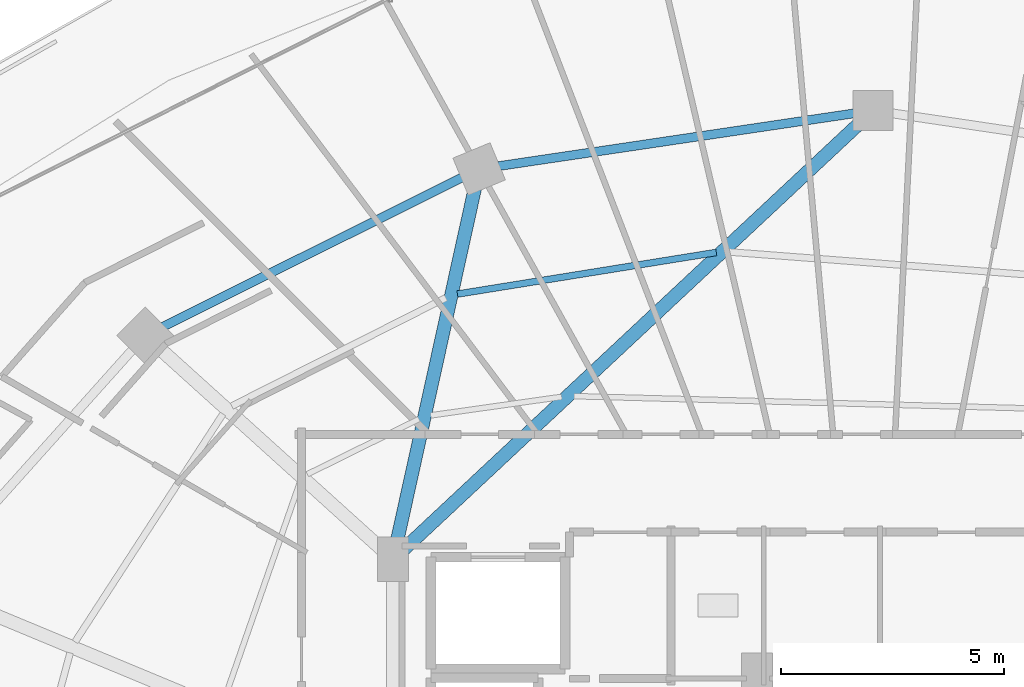
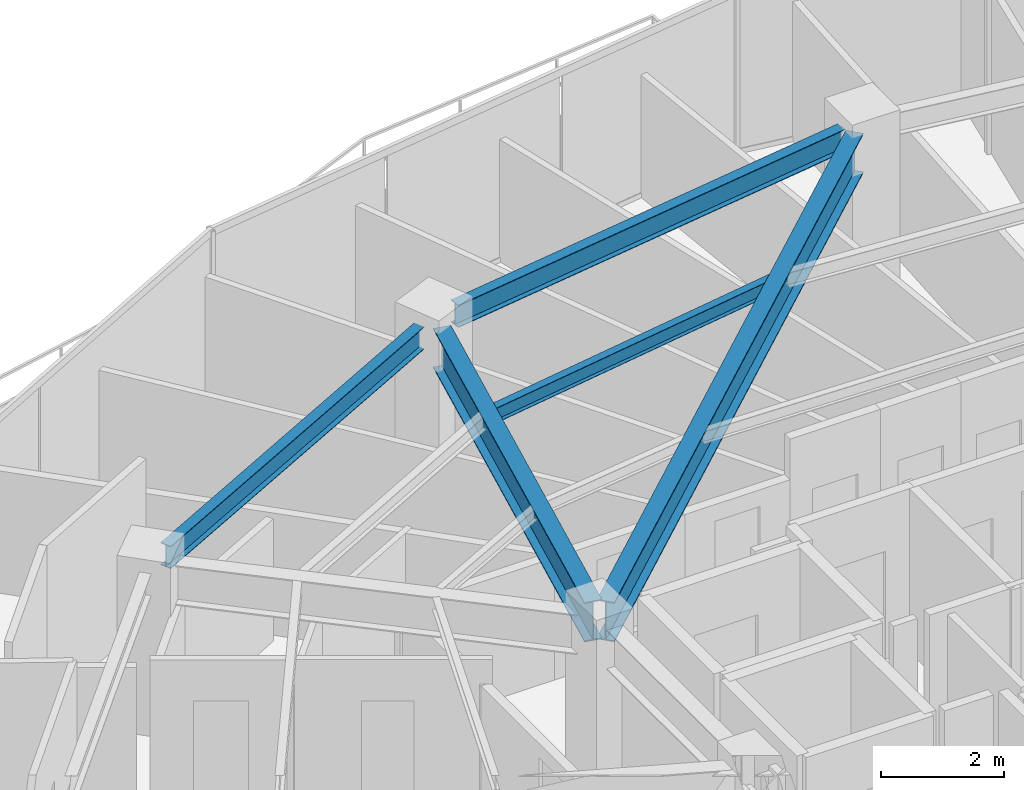
# One storey, part 19 of 33: 5 beams.
"""IFC4 building model written with IfcOpenShell, lengths in metres."""

from ifc_helpers import new_model, si_unit, direction, frame, origin, origin_2d, place, context, subcontext, project, spatial, i_section, extrude, material, material_profile, profile_set, type_object, element, save


model = new_model("IFC4")

# Units and contexts
model_context = context("Model", 3, precision=1e-05, world=origin(), true_north=direction((0.0, 1.0)))
body_context = subcontext(model_context, "Body", "Model", "MODEL_VIEW")
ifc_project = project(units=[si_unit("LENGTHUNIT", "METRE"), si_unit("AREAUNIT", "SQUARE_METRE"), si_unit("VOLUMEUNIT", "CUBIC_METRE"), si_unit("PLANEANGLEUNIT", "RADIAN"), si_unit("MASSUNIT", "GRAM", prefix="KILO")], contexts=[model_context])

# Site, building, storey
site_placement = place(None, origin())
site = spatial("IfcSite", under=ifc_project, at=site_placement, CompositionType="ELEMENT")
building_placement = place(site_placement, origin())
building = spatial("IfcBuilding", under=site, at=building_placement, Name="Vorneva Point Tower", CompositionType="ELEMENT")
storey_placement = place(building_placement, frame((0.0, 0.0, 189.60009765625)))
storey = spatial("IfcBuildingStorey", under=building, at=storey_placement, Name="L51", CompositionType="ELEMENT", Elevation=189.60009765625)

# Beams
ifc_material = material(Name="Steel S355", Category="steel")
ifc_material_profile_1 = material_profile(ifc_material, i_section(OverallWidth=0.300048828125, OverallDepth=0.7880859375, WebThickness=0.014404296875, FlangeThickness=0.02197265625, at=origin_2d()), Name="80Sh1")
ifc_profile_set_1 = profile_set([ifc_material_profile_1], Name="Steel S355")
beam_type_1 = type_object("IfcBeamType", Name="BM-GRD-80Sh1", PredefinedType="USERDEFINED", material=ifc_profile_set_1)
beam_1_placement = place(storey_placement, frame((37.679931640625, 42.90087890625, 2.845947265625), z_axis=(-0.730484767146, -0.682928989696, 0.0), x_axis=(0.682928989696, -0.730484767146, 0.0)))
element("IfcBeam", 1, at=beam_1_placement, inside=storey, type_object=beam_type_1, Name="L51 Radial Primary Girder 05", ObjectType="GIRDER", PredefinedType="USERDEFINED", context=body_context, shape_type="SweptSolid", body=[
    extrude(i_section(OverallWidth=0.300048828125, OverallDepth=0.7880859375, WebThickness=0.014404296875, FlangeThickness=0.02197265625, at=origin_2d()), origin(), (0.0, 0.0, 1.0), 13.938232421875),
])
beam_2_placement = place(storey_placement, frame((29.084716796875, 41.462890625, 2.845947265625), z_axis=(-0.215522758292, -0.976498817541, 0.0), x_axis=(0.976498817541, -0.215522758292, 0.0)))
element("IfcBeam", 2, at=beam_2_placement, inside=storey, type_object=beam_type_1, Name="L51 Radial Primary Girder 06", ObjectType="GIRDER", PredefinedType="USERDEFINED", context=body_context, shape_type="SweptSolid", body=[
    extrude(i_section(OverallWidth=0.300048828125, OverallDepth=0.7880859375, WebThickness=0.014404296875, FlangeThickness=0.02197265625, at=origin_2d()), origin(), (0.0, 0.0, 1.0), 8.173095703125),
])
ifc_material_profile_2 = material_profile(ifc_material, i_section(OverallWidth=0.14892578125, OverallDepth=0.298095703125, WebThickness=0.005615234375, FlangeThickness=0.008056640625, at=origin_2d()), Name="30B1")
ifc_profile_set_2 = profile_set([ifc_material_profile_2], Name="Steel S355")
beam_type_2 = type_object("IfcBeamType", Name="BM-JST-30B1", PredefinedType="JOIST", material=ifc_profile_set_2)
beam_3_placement = place(storey_placement, frame((34.4892578125, 40.0234375, 3.0908203125), z_axis=(-0.987297778526, -0.15888076195, 0.0), x_axis=(0.15888076195, -0.987297778526, 0.0)))
element("IfcBeam", 3, at=beam_3_placement, inside=storey, type_object=beam_type_2, Name="L51 Secondary Floor Beam 1.05", PredefinedType="JOIST", context=body_context, shape_type="SweptSolid", body=[
    extrude(i_section(OverallWidth=0.14892578125, OverallDepth=0.298095703125, WebThickness=0.005615234375, FlangeThickness=0.008056640625, at=origin_2d()), origin(), (0.0, 0.0, 1.0), 5.871337890625),
])
ifc_material_profile_3 = material_profile(ifc_material, i_section(OverallWidth=0.198974609375, OverallDepth=0.446044921875, WebThickness=0.008056640625, FlangeThickness=0.011962890625, at=origin_2d()), Name="45B1")
ifc_profile_set_3 = profile_set([ifc_material_profile_3], Name="Steel S355")
beam_type_3 = type_object("IfcBeamType", Name="BM-SPN-45B1", PredefinedType="SPANDREL", material=ifc_profile_set_3)
beam_4_placement = place(storey_placement, frame((37.569580078125, 43.135986328125, 3.016845703125), z_axis=(-0.989165476332, -0.146804837907, 0.0), x_axis=(0.146804837907, -0.989165476332, 0.0)))
element("IfcBeam", 4, at=beam_4_placement, inside=storey, type_object=beam_type_3, Name="L51 Perimeter Spandrel Ring Beam 05", PredefinedType="SPANDREL", context=body_context, shape_type="SweptSolid", body=[
    extrude(i_section(OverallWidth=0.198974609375, OverallDepth=0.446044921875, WebThickness=0.008056640625, FlangeThickness=0.011962890625, at=origin_2d()), origin(), (0.0, 0.0, 1.0), 8.04736328125),
])
beam_5_placement = place(storey_placement, frame((28.789794921875, 41.696533203125, 3.016845703125), z_axis=(-0.894922371084, -0.446221861559, 0.0), x_axis=(0.446221861559, -0.894922371084, 0.0)))
element("IfcBeam", 5, at=beam_5_placement, inside=storey, type_object=beam_type_3, Name="L51 Perimeter Spandrel Ring Beam 06", PredefinedType="SPANDREL", context=body_context, shape_type="SweptSolid", body=[
    extrude(i_section(OverallWidth=0.198974609375, OverallDepth=0.446044921875, WebThickness=0.008056640625, FlangeThickness=0.011962890625, at=origin_2d()), origin(), (0.0, 0.0, 1.0), 7.48583984375),
])

save(model, "model.ifc")
